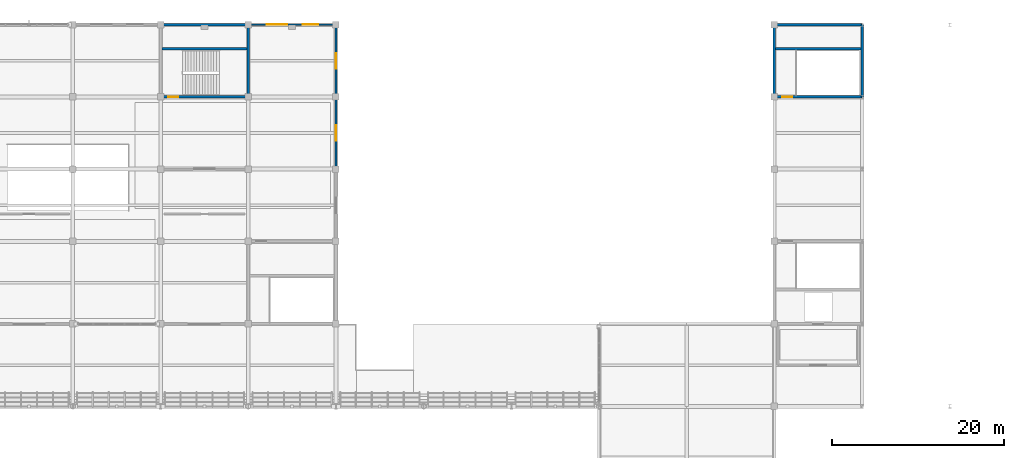
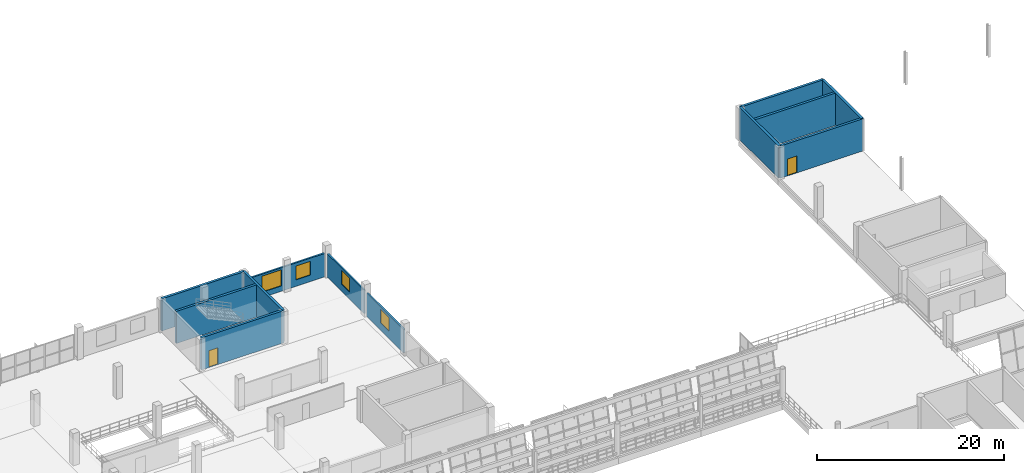
# One storey, part 134 of 157: 12 walls, 4 windows, 2 doors, 6 openings.
"""IFC4 building model written with IfcOpenShell, lengths in metres."""

import ifcopenshell
import ifcopenshell.guid

model = None  # the IFC model being written
_history = None  # IfcOwnerHistory: only IFC2X3 demands one
_inside = {}  # id of a spatial element -> (the spatial element, [elements in it])
_under = {}  # id of a project, library or spatial element -> (it, [spatial elements below it])
_declared = {}  # id of a project -> (the project, [libraries it declares])
_typed = {}  # id of a type object -> (the type object, [elements of that type])
_made_of = {}  # id of a material, layer set ... -> (it, [elements and type objects made of it])


def new_model(schema):
    """Start an empty IFC model of exactly this schema.

    Asked for "IFC4X3", IfcOpenShell would pick the latest addendum, in which some entities
    have other attributes; the version numbers below select the first issue.
    IFC2X3 requires an IfcOwnerHistory on every rooted entity: one is made here for all.
    """
    global model, _history
    if schema == "IFC4X3":
        model = ifcopenshell.file(schema_version=(4, 3, 0, 0))
    else:
        model = ifcopenshell.file(schema=schema)
    _inside.clear()
    _under.clear()
    _declared.clear()
    _typed.clear()
    _made_of.clear()
    _history = None
    if model.schema == "IFC2X3":
        org = make("IfcOrganization", Name="unknown")
        user = make(
            "IfcPersonAndOrganization",
            ThePerson=make("IfcPerson", FamilyName="unknown"),
            TheOrganization=org,
        )
        app = make(
            "IfcApplication",
            ApplicationDeveloper=org,
            Version="unknown",
            ApplicationFullName="unknown",
            ApplicationIdentifier="unknown",
        )
        _history = make(
            "IfcOwnerHistory",
            OwningUser=user,
            OwningApplication=app,
            ChangeAction="ADDED",
            CreationDate=0,
        )
    return model


def make(cls, **values):
    """One entity of the class cls with the attributes given. An attribute that is None is left unset."""
    return model.create_entity(
        cls, **{name: value for name, value in values.items() if value is not None}
    )


def rooted(cls, **values):
    """An entity with a GlobalId (a new one), such as an element, a storey or a relation."""
    return make(cls, GlobalId=ifcopenshell.guid.new(), OwnerHistory=_history, **values)


def si_unit(unit_type, name, prefix=None):
    """IfcSIUnit, for example si_unit("LENGTHUNIT", "METRE", prefix="MILLI")."""
    return make("IfcSIUnit", UnitType=unit_type, Prefix=prefix, Name=name)


def assignment(units):
    """IfcUnitAssignment: the units of a project."""
    return None if units is None else make("IfcUnitAssignment", Units=units)


def point(xyz):
    """IfcCartesianPoint."""
    return None if xyz is None else make("IfcCartesianPoint", Coordinates=xyz)


def direction(xyz):
    """IfcDirection."""
    return None if xyz is None else make("IfcDirection", DirectionRatios=xyz)


def frame(location, z_axis=None, x_axis=None):
    """IfcAxis2Placement3D, a coordinate frame: its origin and axes. An axis left out is left unset."""
    return make(
        "IfcAxis2Placement3D",
        Location=point(location),
        Axis=direction(z_axis),
        RefDirection=direction(x_axis),
    )


def frame_2d(location, x_axis=None):
    """IfcAxis2Placement2D, a coordinate frame in the plane: its origin and x axis."""
    return make(
        "IfcAxis2Placement2D", Location=point(location), RefDirection=direction(x_axis)
    )


def origin():
    """The frame at (0, 0, 0) with its axes left unset."""
    return frame((0.0, 0.0, 0.0))


def place(relative_to, where):
    """IfcLocalPlacement: puts the frame where relative to a parent placement (None: the world)."""
    return make(
        "IfcLocalPlacement", PlacementRelTo=relative_to, RelativePlacement=where
    )


def context(
    kind, dimensions, precision=None, world=None, true_north=None, identifier=None
):
    """IfcGeometricRepresentationContext, for example the 3D "Model" context."""
    return make(
        "IfcGeometricRepresentationContext",
        ContextIdentifier=identifier,
        ContextType=kind,
        CoordinateSpaceDimension=dimensions,
        Precision=precision,
        WorldCoordinateSystem=world,
        TrueNorth=true_north,
    )


def subcontext(parent, identifier, kind, view, scale=None):
    """IfcGeometricRepresentationSubContext, for example "Body" below "Model"."""
    return make(
        "IfcGeometricRepresentationSubContext",
        ContextIdentifier=identifier,
        ContextType=kind,
        ParentContext=parent,
        TargetScale=scale,
        TargetView=view,
    )


def project(units=None, contexts=None):
    """IfcProject with its units and contexts."""
    return rooted(
        "IfcProject",
        Name="project",
        RepresentationContexts=contexts,
        UnitsInContext=assignment(units),
    )


def spatial(cls, under=None, at=None, **own):
    """A site, building, storey or space (cls), placed at a placement, below another one or the project."""
    s = rooted(cls, ObjectPlacement=at, **own)
    if under is not None:
        _under.setdefault(under.id(), (under, []))[1].append(s)
    return s


def profile(cls, at=None, kind="AREA", **sizes):
    """A parametric profile (cls). Its sizes go by their IFC names, for example OverallWidth=200.0."""
    return make(cls, ProfileType=kind, Position=at, **sizes)


def rectangle(**sizes):
    """IfcRectangleProfileDef."""
    return profile("IfcRectangleProfileDef", **sizes)


def extrude(swept, where, along, depth):
    """IfcExtrudedAreaSolid: the profile swept, set in the frame where, extruded along a direction by depth."""
    return make(
        "IfcExtrudedAreaSolid",
        SweptArea=swept,
        Position=where,
        ExtrudedDirection=direction(along),
        Depth=depth,
    )


def shape(context_of_items, identifier, shape_type, items):
    """IfcShapeRepresentation: the items that make up one representation, for example the "Body"."""
    return make(
        "IfcShapeRepresentation",
        ContextOfItems=context_of_items,
        RepresentationIdentifier=identifier,
        RepresentationType=shape_type,
        Items=items,
    )


def material(Name=None, Category=None):
    """IfcMaterial."""
    return make("IfcMaterial", Name=Name, Category=Category)


def layer(
    of_material, thickness, ventilated=None, Name=None, Category=None, Priority=None
):
    """IfcMaterialLayer: one layer of a wall or slab, of a material (None: an air gap)."""
    return make(
        "IfcMaterialLayer",
        Material=of_material,
        LayerThickness=thickness,
        IsVentilated=ventilated,
        Name=Name,
        Category=Category,
        Priority=Priority,
    )


def layer_set(layers, Name=None):
    """IfcMaterialLayerSet."""
    return make("IfcMaterialLayerSet", MaterialLayers=layers, LayerSetName=Name)


def made_of(thing, what):
    """Note that an element or type object is made of a material, layer set ...; save() writes the relation."""
    if what is not None:
        _made_of.setdefault(what.id(), (what, []))[1].append(thing)
    return thing


def type_object(cls, material=None, **own):
    """A type object (cls), such as IfcWallType, which elements share."""
    return made_of(rooted(cls, **own), material)


def element(
    cls,
    number,
    at=None,
    inside=None,
    cuts=None,
    type_object=None,
    material=None,
    context=None,
    identifier="Body",
    shape_type=None,
    held_by="IfcProductDefinitionShape",
    body=None,
    shapes=None,
    **own,
):
    """One element of the class cls, such as IfcWall. Its Tag is "e" and its number.

    at: its placement. inside: the storey or other place that contains it. cuts: it is an
    opening in that element (IfcRelVoidsElement). A single representation is given by context,
    identifier, shape_type and body (its items); several are given by shapes. held_by: the class
    of the entity that holds the representations. save() writes the other relations.
    """
    e = rooted(cls, Tag="e%d" % number, ObjectPlacement=at, **own)
    if body is not None:
        shapes = [shape(context, identifier, shape_type, body)]
    if shapes is not None:
        e.Representation = make(held_by, Representations=shapes)
    if inside is not None:
        _inside.setdefault(inside.id(), (inside, []))[1].append(e)
    if cuts is not None:
        rooted(
            "IfcRelVoidsElement", RelatingBuildingElement=cuts, RelatedOpeningElement=e
        )
    if type_object is not None:
        _typed.setdefault(type_object.id(), (type_object, []))[1].append(e)
    return made_of(e, material)


def fill(opening, filler):
    """IfcRelFillsElement: the door or window that sits in an opening."""
    return rooted(
        "IfcRelFillsElement",
        RelatingOpeningElement=opening,
        RelatedBuildingElement=filler,
    )


def aggregate(whole, parts):
    """IfcRelAggregates: a whole, such as a stair, and the parts it consists of."""
    return rooted("IfcRelAggregates", RelatingObject=whole, RelatedObjects=parts)


def save(model, path):
    """Write the relations noted so far, then the file.

    IfcRelAggregates (storeys below a building ...), IfcRelContainedInSpatialStructure (elements
    in a storey), IfcRelDefinesByType, IfcRelAssociatesMaterial and IfcRelDeclares: one each for
    every whole, place, type object, material and project.
    """
    for whole, parts in _under.values():
        aggregate(whole, parts)
    for where, things in _inside.values():
        rooted(
            "IfcRelContainedInSpatialStructure",
            RelatedElements=things,
            RelatingStructure=where,
        )
    for kind, things in _typed.values():
        rooted("IfcRelDefinesByType", RelatedObjects=things, RelatingType=kind)
    for what, things in _made_of.values():
        rooted("IfcRelAssociatesMaterial", RelatedObjects=things, RelatingMaterial=what)
    for by, libraries in _declared.values():
        rooted("IfcRelDeclares", RelatingContext=by, RelatedDefinitions=libraries)
    model.write(path)


model = new_model("IFC4")

# Units and contexts
model_context = context("Model", 3, precision=1e-05, world=origin(), true_north=direction((0.0, 1.0)))
body_context = subcontext(model_context, "Body", "Model", "MODEL_VIEW")
ifc_project = project(units=[si_unit("LENGTHUNIT", "METRE"), si_unit("AREAUNIT", "SQUARE_METRE"), si_unit("VOLUMEUNIT", "CUBIC_METRE"), si_unit("PLANEANGLEUNIT", "RADIAN"), si_unit("MASSUNIT", "GRAM", prefix="KILO")], contexts=[model_context])

# Site, building, storey
site_placement = place(None, origin())
site = spatial("IfcSite", under=ifc_project, at=site_placement, CompositionType="ELEMENT")
building_placement = place(site_placement, origin())
building = spatial("IfcBuilding", under=site, at=building_placement, Name="Brelvane Convention Centre", CompositionType="ELEMENT")
storey_placement = place(building_placement, frame((0.0, 0.0, 10.800048828125)))
storey = spatial("IfcBuildingStorey", under=building, at=storey_placement, Name="L02", CompositionType="ELEMENT", Elevation=10.800048828125)

# Wall, openings, windows
ifc_material_1 = material(Name="Insulated Autoclaved Aerated Concrete Block Grade 1", Category="concrete")
ifc_layer_1 = layer(ifc_material_1, 0.219970703125)
ifc_layer_set_1 = layer_set([ifc_layer_1], Name="Insulated Autoclaved Aerated Concrete Block Grade 1")
wall_type_1 = type_object("IfcWallType", Name="Exterior Wall EW-04", PredefinedType="STANDARD", material=ifc_layer_set_1)
wall_1_placement = place(storey_placement, frame((102.239990234375, 144.0, 0.0), z_axis=(0.0, 0.0, 1.0), x_axis=(1.0, 0.0, 0.0)))
wall_1 = element("IfcWall", 1, at=wall_1_placement, inside=storey, type_object=wall_type_1, Name="Exterior Wall L02 V4N-11", PredefinedType="STANDARD", context=body_context, shape_type="SweptSolid", body=[
    extrude(rectangle(XDim=9.719970703125, YDim=0.219970703125, at=frame_2d((4.85986328125, 0.0))), origin(), (0.0, 0.0, 1.0), 3.06005859375),
])
opening_1_placement = place(wall_1_placement, frame((1.909912109375, 0.0, 0.699951171875)))
opening_1 = element("IfcOpeningElement", 2, at=opening_1_placement, cuts=wall_1, Name="Opening WN-01", PredefinedType="OPENING", context=body_context, shape_type="SweptSolid", body=[
    extrude(rectangle(XDim=2.39990234375, YDim=2.10009765625, at=frame_2d((1.199951171875, 1.050048828125))), frame((0.0, 0.119873046875, 0.0), z_axis=(0.0, -1.0, 0.0), x_axis=(1.0, 0.0, 0.0)), (0.0, 0.0, 1.0), 0.239990234375),
])
opening_2_placement = place(wall_1_placement, frame((6.097900390625, 0.0, 0.85009765625)))
opening_2 = element("IfcOpeningElement", 3, at=opening_2_placement, cuts=wall_1, Name="Opening WN-04", PredefinedType="OPENING", context=body_context, shape_type="SweptSolid", body=[
    extrude(rectangle(XDim=1.800048828125, YDim=1.800048828125, at=frame_2d((0.89990234375, 0.89990234375))), frame((0.0, 0.119873046875, 0.0), z_axis=(0.0, -1.0, 0.0), x_axis=(1.0, 0.0, 0.0)), (0.0, 0.0, 1.0), 0.239990234375),
])
ifc_material_2 = material(Name="Double Glazed Low-E Laminated Unit")
window_type_1 = type_object("IfcWindowType", Name="Window WN-01", PartitioningType="DOUBLE_PANEL_VERTICAL", PredefinedType="WINDOW", material=ifc_material_2)
window_1_placement = place(opening_1_placement, origin())
window_1 = element("IfcWindow", 4, at=window_1_placement, inside=storey, type_object=window_type_1, Name="Facade Window L02-V4N-11-040", OverallHeight=2.10009765625, OverallWidth=2.39990234375, PartitioningType="DOUBLE_PANEL_VERTICAL", PredefinedType="WINDOW", context=body_context, shape_type="SweptSolid", body=[
    extrude(rectangle(XDim=2.39990234375, YDim=2.10009765625, at=frame_2d((1.199951171875, 1.050048828125))), frame((0.0, 0.030029296875, 0.0), z_axis=(0.0, -1.0, 0.0), x_axis=(1.0, 0.0, 0.0)), (0.0, 0.0, 1.0), 0.06005859375),
])
fill(opening_1, window_1)
ifc_material_3 = material(Name="Double Glazed Low-E Laminated Unit")
window_type_2 = type_object("IfcWindowType", Name="Window WN-04", PartitioningType="DOUBLE_PANEL_VERTICAL", PredefinedType="WINDOW", material=ifc_material_3)
window_2_placement = place(opening_2_placement, origin())
window_2 = element("IfcWindow", 5, at=window_2_placement, inside=storey, type_object=window_type_2, Name="Facade Window L02-V4N-11-041", OverallHeight=1.800048828125, OverallWidth=1.800048828125, PartitioningType="DOUBLE_PANEL_VERTICAL", PredefinedType="WINDOW", context=body_context, shape_type="SweptSolid", body=[
    extrude(rectangle(XDim=1.800048828125, YDim=1.800048828125, at=frame_2d((0.89990234375, 0.89990234375))), frame((0.0, 0.030029296875, 0.0), z_axis=(0.0, -1.0, 0.0), x_axis=(1.0, 0.0, 0.0)), (0.0, 0.0, 1.0), 0.06005859375),
])
fill(opening_2, window_2)

# Wall, opening, window
ifc_material_4 = material(Name="Insulated Autoclaved Aerated Concrete Block Grade 1", Category="concrete")
ifc_layer_2 = layer(ifc_material_4, 0.205078125)
ifc_layer_set_2 = layer_set([ifc_layer_2], Name="Insulated Autoclaved Aerated Concrete Block Grade 1")
wall_type_2 = type_object("IfcWallType", Name="Exterior Wall EW-05", PredefinedType="STANDARD", material=ifc_layer_set_2)
wall_2_placement = place(storey_placement, frame((112.199951171875, 127.43994140625, 0.0), z_axis=(0.0, 0.0, 1.0), x_axis=(0.0, 1.0, 0.0)))
wall_2 = element("IfcWall", 6, at=wall_2_placement, inside=storey, type_object=wall_type_2, Name="Exterior Wall L02 V4E-3", PredefinedType="STANDARD", context=body_context, shape_type="SweptSolid", body=[
    extrude(rectangle(XDim=7.920166015625, YDim=0.205078125, at=frame_2d((3.9599609375, 0.0))), origin(), (0.0, 0.0, 1.0), 3.06005859375),
])
opening_3_placement = place(wall_2_placement, frame((3.06005859375, 0.0, 0.949951171875)))
opening_3 = element("IfcOpeningElement", 7, at=opening_3_placement, cuts=wall_2, Name="Opening WN-04", PredefinedType="OPENING", context=body_context, shape_type="SweptSolid", body=[
    extrude(rectangle(XDim=1.800048828125, YDim=1.800048828125, at=frame_2d((0.89990234375, 0.89990234375))), frame((0.0, 0.112548828125, 0.0), z_axis=(0.0, -1.0, 0.0), x_axis=(1.0, 0.0, 0.0)), (0.0, 0.0, 1.0), 0.22509765625),
])
window_3_placement = place(opening_3_placement, origin())
window_3 = element("IfcWindow", 8, at=window_3_placement, inside=storey, type_object=window_type_2, Name="Facade Window L02-V4E-3-043", OverallHeight=1.800048828125, OverallWidth=1.800048828125, PartitioningType="DOUBLE_PANEL_VERTICAL", PredefinedType="WINDOW", context=body_context, shape_type="SweptSolid", body=[
    extrude(rectangle(XDim=1.800048828125, YDim=1.800048828125, at=frame_2d((0.89990234375, 0.89990234375))), frame((0.0, 0.030029296875, 0.0), z_axis=(0.0, -1.0, 0.0), x_axis=(1.0, 0.0, 0.0)), (0.0, 0.0, 1.0), 0.06005859375),
])
fill(opening_3, window_3)

wall_3_placement = place(storey_placement, frame((112.199951171875, 135.840087890625, 0.0), z_axis=(0.0, 0.0, 1.0), x_axis=(0.0, 1.0, 0.0)))
wall_3 = element("IfcWall", 9, at=wall_3_placement, inside=storey, type_object=wall_type_2, Name="Exterior Wall L02 V4E-4", PredefinedType="STANDARD", context=body_context, shape_type="SweptSolid", body=[
    extrude(rectangle(XDim=7.919921875, YDim=0.205078125, at=frame_2d((3.9599609375, 0.0))), origin(), (0.0, 0.0, 1.0), 3.06005859375),
])
opening_4_placement = place(wall_3_placement, frame((3.06005859375, 0.0, 0.949951171875)))
opening_4 = element("IfcOpeningElement", 10, at=opening_4_placement, cuts=wall_3, Name="Opening WN-04", PredefinedType="OPENING", context=body_context, shape_type="SweptSolid", body=[
    extrude(rectangle(XDim=1.800048828125, YDim=1.800048828125, at=frame_2d((0.89990234375, 0.89990234375))), frame((0.0, 0.112548828125, 0.0), z_axis=(0.0, -1.0, 0.0), x_axis=(1.0, 0.0, 0.0)), (0.0, 0.0, 1.0), 0.22509765625),
])
window_4_placement = place(opening_4_placement, origin())
window_4 = element("IfcWindow", 11, at=window_4_placement, inside=storey, type_object=window_type_2, Name="Facade Window L02-V4E-4-044", OverallHeight=1.800048828125, OverallWidth=1.800048828125, PartitioningType="DOUBLE_PANEL_VERTICAL", PredefinedType="WINDOW", context=body_context, shape_type="SweptSolid", body=[
    extrude(rectangle(XDim=1.800048828125, YDim=1.800048828125, at=frame_2d((0.89990234375, 0.89990234375))), frame((0.0, 0.030029296875, 0.0), z_axis=(0.0, -1.0, 0.0), x_axis=(1.0, 0.0, 0.0)), (0.0, 0.0, 1.0), 0.06005859375),
])
fill(opening_4, window_4)

# Wall, opening, door
ifc_material_5 = material(Name="Concrete M50", Category="concrete")
ifc_layer_3 = layer(ifc_material_5, 0.300048828125)
ifc_layer_set_3 = layer_set([ifc_layer_3], Name="Concrete M50")
wall_type_3 = type_object("IfcWallType", Name="Structural Wall WL-CORE-300", PredefinedType="SHEAR", material=ifc_layer_set_3)
wall_4_placement = place(storey_placement, frame((163.199951171875, 135.60009765625, 0.0), z_axis=(0.0, 0.0, 1.0), x_axis=(1.0, 0.0, 0.0)))
wall_4 = element("IfcWall", 12, at=wall_4_placement, inside=storey, type_object=wall_type_3, Name="Stair Core ST-11 Wall S (L02)", PredefinedType="SHEAR", context=body_context, shape_type="SweptSolid", body=[
    extrude(rectangle(XDim=10.199951171875, YDim=0.300048828125, at=frame_2d((5.10009765625, 0.0))), origin(), (0.0, 0.0, 1.0), 4.199951171875),
])
opening_5_placement = place(wall_4_placement, frame((0.919921875, 0.0, 0.0)))
opening_5 = element("IfcOpeningElement", 13, at=opening_5_placement, cuts=wall_4, Name="Opening DR-IN-04L", PredefinedType="OPENING", context=body_context, shape_type="SweptSolid", body=[
    extrude(rectangle(XDim=1.159912109375, YDim=2.199951171875, at=frame_2d((0.580078125, 1.10009765625))), frame((0.0, 0.159912109375, 0.0), z_axis=(0.0, -1.0, 0.0), x_axis=(1.0, 0.0, 0.0)), (0.0, 0.0, 1.0), 0.320068359375),
])
ifc_material_6 = material(Name="Galvanised Hollow-Metal Fire Door Steel E250", Category="steel")
door_type = type_object("IfcDoorType", Name="Interior Door DR-IN-04L", OperationType="NOTDEFINED", PredefinedType="DOOR", material=ifc_material_6)
door_1_placement = place(opening_5_placement, origin())
door_1 = element("IfcDoor", 14, at=door_1_placement, inside=storey, type_object=door_type, Name="Stair ST-11 Entry Door (L02)", OperationType="SINGLE_SWING_LEFT", OverallHeight=2.199951171875, OverallWidth=1.159912109375, PredefinedType="DOOR", context=body_context, shape_type="SweptSolid", body=[
    extrude(rectangle(XDim=1.159912109375, YDim=2.199951171875, at=frame_2d((0.580078125, 1.10009765625))), frame((0.0, 0.02490234375, 0.0), z_axis=(0.0, -1.0, 0.0), x_axis=(1.0, 0.0, 0.0)), (0.0, 0.0, 1.0), 0.050048828125),
])
fill(opening_5, door_1)

# Walls
wall_5_placement = place(storey_placement, frame((163.199951171875, 144.0, 0.0), z_axis=(0.0, 0.0, 1.0), x_axis=(1.0, 0.0, 0.0)))
element("IfcWall", 15, at=wall_5_placement, inside=storey, type_object=wall_type_3, Name="Stair Core ST-11 Wall N (L02)", PredefinedType="SHEAR", context=body_context, shape_type="SweptSolid", body=[
    extrude(rectangle(XDim=10.199951171875, YDim=0.300048828125, at=frame_2d((5.10009765625, 0.0))), origin(), (0.0, 0.0, 1.0), 4.199951171875),
])
for number, where, z_axis, x_axis, name in (
    (16, (163.199951171875, 135.60009765625, 0.0), (0.0, 0.0, 1.0), (0.0, 1.0, 0.0), "Stair Core ST-11 Wall W (L02)"),
    (17, (173.39990234375, 135.60009765625, 0.0), (0.0, 0.0, 1.0), (0.0, 1.0, 0.0), "Stair Core ST-11 Wall E (L02)"),
):
    element("IfcWall", number, at=place(storey_placement, frame(where, z_axis=z_axis, x_axis=x_axis)), inside=storey, type_object=wall_type_3, Name=name, PredefinedType="SHEAR", context=body_context, shape_type="SweptSolid", body=[
        extrude(rectangle(XDim=8.39990234375, YDim=0.300048828125, at=frame_2d((4.199951171875, 0.0))), origin(), (0.0, 0.0, 1.0), 4.199951171875),
    ])
wall_6_placement = place(storey_placement, frame((163.35009765625, 141.199951171875, 0.0), z_axis=(0.0, 0.0, 1.0), x_axis=(1.0, 0.0, 0.0)))
element("IfcWall", 18, at=wall_6_placement, inside=storey, type_object=wall_type_3, Name="Stair Core ST-11 Well Wall (L02)", PredefinedType="SHEAR", context=body_context, shape_type="SweptSolid", body=[
    extrude(rectangle(XDim=9.89990234375, YDim=0.300048828125, at=frame_2d((4.949951171875, 0.0))), origin(), (0.0, 0.0, 1.0), 4.199951171875),
])

# Wall, opening, door
wall_7_placement = place(storey_placement, frame((91.800048828125, 135.60009765625, 0.0), z_axis=(0.0, 0.0, 1.0), x_axis=(1.0, 0.0, 0.0)))
wall_7 = element("IfcWall", 19, at=wall_7_placement, inside=storey, type_object=wall_type_3, Name="Stair Core ST-12 Wall S (L02)", PredefinedType="SHEAR", context=body_context, shape_type="SweptSolid", body=[
    extrude(rectangle(XDim=10.199951171875, YDim=0.300048828125, at=frame_2d((5.10009765625, 0.0))), origin(), (0.0, 0.0, 1.0), 4.199951171875),
])
opening_6_placement = place(wall_7_placement, frame((0.919921875, 0.0, 0.0)))
opening_6 = element("IfcOpeningElement", 20, at=opening_6_placement, cuts=wall_7, Name="Opening DR-IN-04L", PredefinedType="OPENING", context=body_context, shape_type="SweptSolid", body=[
    extrude(rectangle(XDim=1.159912109375, YDim=2.199951171875, at=frame_2d((0.580078125, 1.10009765625))), frame((0.0, 0.159912109375, 0.0), z_axis=(0.0, -1.0, 0.0), x_axis=(1.0, 0.0, 0.0)), (0.0, 0.0, 1.0), 0.320068359375),
])
door_2_placement = place(opening_6_placement, origin())
door_2 = element("IfcDoor", 21, at=door_2_placement, inside=storey, type_object=door_type, Name="Stair ST-12 Entry Door (L02)", OperationType="SINGLE_SWING_LEFT", OverallHeight=2.199951171875, OverallWidth=1.159912109375, PredefinedType="DOOR", context=body_context, shape_type="SweptSolid", body=[
    extrude(rectangle(XDim=1.159912109375, YDim=2.199951171875, at=frame_2d((0.580078125, 1.10009765625))), frame((0.0, 0.02490234375, 0.0), z_axis=(0.0, -1.0, 0.0), x_axis=(1.0, 0.0, 0.0)), (0.0, 0.0, 1.0), 0.050048828125),
])
fill(opening_6, door_2)

# Walls
wall_8_placement = place(storey_placement, frame((91.800048828125, 144.0, 0.0), z_axis=(0.0, 0.0, 1.0), x_axis=(1.0, 0.0, 0.0)))
element("IfcWall", 22, at=wall_8_placement, inside=storey, type_object=wall_type_3, Name="Stair Core ST-12 Wall N (L02)", PredefinedType="SHEAR", context=body_context, shape_type="SweptSolid", body=[
    extrude(rectangle(XDim=10.199951171875, YDim=0.300048828125, at=frame_2d((5.10009765625, 0.0))), origin(), (0.0, 0.0, 1.0), 4.199951171875),
])
wall_9_placement = place(storey_placement, frame((102.0, 135.60009765625, 0.0), z_axis=(0.0, 0.0, 1.0), x_axis=(0.0, 1.0, 0.0)))
element("IfcWall", 23, at=wall_9_placement, inside=storey, type_object=wall_type_3, Name="Stair Core ST-12 Wall E (L02)", PredefinedType="SHEAR", context=body_context, shape_type="SweptSolid", body=[
    extrude(rectangle(XDim=8.39990234375, YDim=0.300048828125, at=frame_2d((4.199951171875, 0.0))), origin(), (0.0, 0.0, 1.0), 4.199951171875),
])
wall_10_placement = place(storey_placement, frame((91.949951171875, 141.199951171875, 0.0), z_axis=(0.0, 0.0, 1.0), x_axis=(1.0, 0.0, 0.0)))
element("IfcWall", 24, at=wall_10_placement, inside=storey, type_object=wall_type_3, Name="Stair Core ST-12 Well Wall (L02)", PredefinedType="SHEAR", context=body_context, shape_type="SweptSolid", body=[
    extrude(rectangle(XDim=9.900146484375, YDim=0.300048828125, at=frame_2d((4.9501953125, 0.0))), origin(), (0.0, 0.0, 1.0), 4.199951171875),
])

save(model, "model.ifc")
